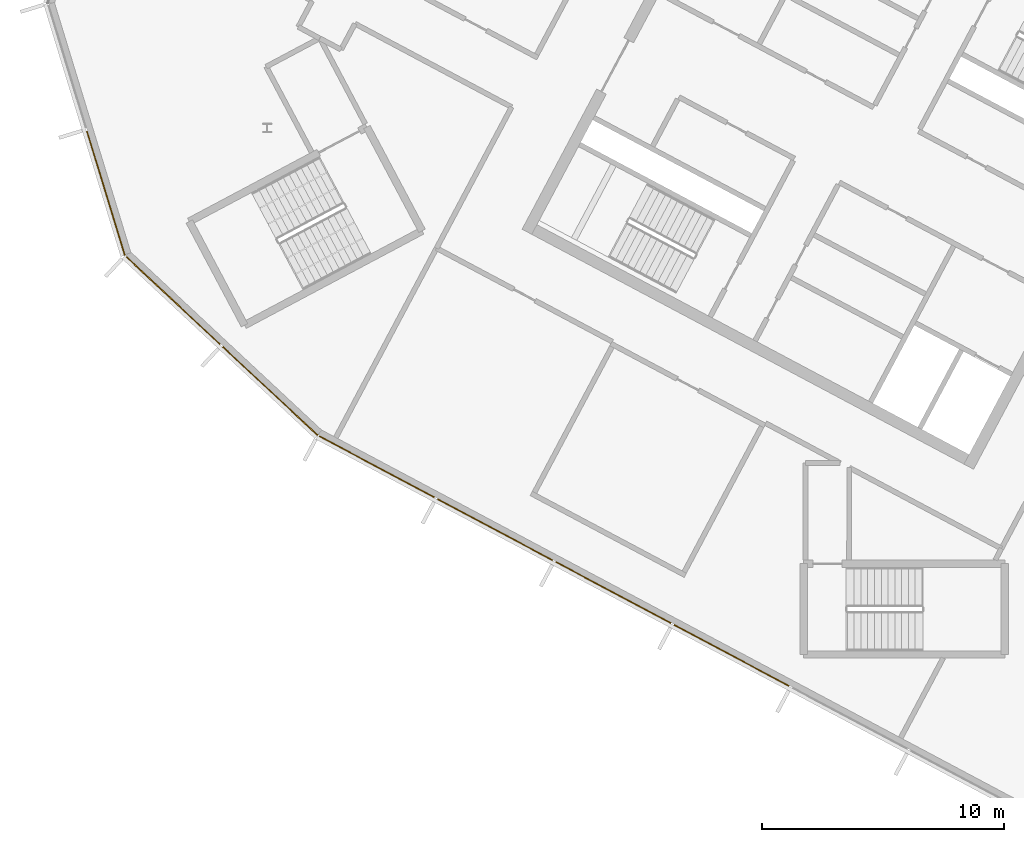
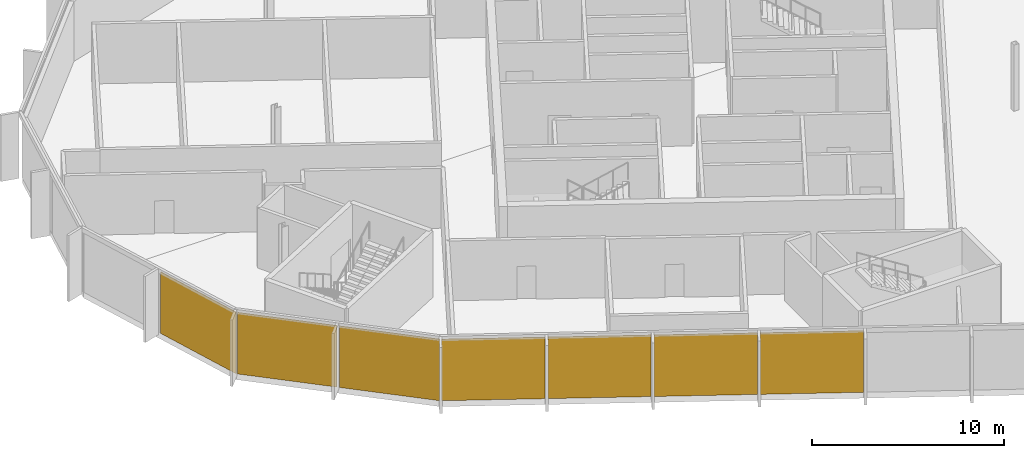
# One storey, part 10 of 15: 7 coverings, 3 elements without a shape of their own.
"""IFC4 building model written with IfcOpenShell, lengths in metres."""

from ifc_helpers import new_model, si_unit, direction, frame, origin, origin_2d, place, context, subcontext, project, spatial, rectangle, extrude, material, layer, layer_set, type_object, element, aggregate, save


model = new_model("IFC4")

# Units and contexts
model_context = context("Model", 3, precision=1e-05, world=origin(), true_north=direction((0.0, 1.0)))
body_context = subcontext(model_context, "Body", "Model", "MODEL_VIEW")
ifc_project = project(units=[si_unit("LENGTHUNIT", "METRE"), si_unit("AREAUNIT", "SQUARE_METRE"), si_unit("VOLUMEUNIT", "CUBIC_METRE"), si_unit("PLANEANGLEUNIT", "RADIAN"), si_unit("MASSUNIT", "GRAM", prefix="KILO")], contexts=[model_context])

# Site, building, storey
site_placement = place(None, origin())
site = spatial("IfcSite", under=ifc_project, at=site_placement, CompositionType="ELEMENT")
building_placement = place(site_placement, origin())
building = spatial("IfcBuilding", under=site, at=building_placement, Name="Cormorant Relay Tower", CompositionType="ELEMENT")
storey_placement = place(building_placement, frame((0.0, 0.0, 332.39990234375)))
storey = spatial("IfcBuildingStorey", under=building, at=storey_placement, Name="C2", CompositionType="ELEMENT", Elevation=332.39990234375)

# Curtain wall, coverings
ifc_material_1 = material(Name="Aluminium 6063-T6 anodised bronze", Category="aluminium")
ifc_layer_1 = layer(ifc_material_1, 0.199951171875)
ifc_layer_set_1 = layer_set([ifc_layer_1], Name="CW3 crown screen wall")
curtain_wall_type = type_object("IfcCurtainWallType", Name="CW3 crown screen wall", PredefinedType="NOTDEFINED", material=ifc_layer_set_1)
curtain_wall_1_placement = place(storey_placement, origin())
curtain_wall_1 = element("IfcCurtainWall", 1, at=curtain_wall_1_placement, inside=storey, type_object=curtain_wall_type, Name="CW3 curtain wall 1", PredefinedType="NOTDEFINED")
ifc_material_2 = material(Name="Perforated bronze anodised aluminium screen", Category="aluminium")
ifc_layer_2 = layer(ifc_material_2, 0.0400390625)
ifc_layer_set_2 = layer_set([ifc_layer_2], Name="CW3 perforated bronze screen panel 40")
covering_type = type_object("IfcCoveringType", Name="CW3 perforated bronze screen panel 40", PredefinedType="CLADDING", material=ifc_layer_set_2)
covering_1_placement = place(storey_placement, frame((-47.16162109375, 1.269775390625, 0.000244140625), z_axis=(0.0, 0.0, 1.0), x_axis=(0.882947592859, -0.469471562786, 0.0)))
covering_1 = element("IfcCovering", 2, at=covering_1_placement, type_object=covering_type, Name="CW3 panel X00", PredefinedType="CLADDING", context=body_context, shape_type="SweptSolid", body=[
    extrude(rectangle(XDim=5.375244140625, YDim=0.0400390625, at=origin_2d()), origin(), (0.0, 0.0, 1.0), 3.89990234375),
])
covering_2_placement = place(storey_placement, frame((-42.283203125, -1.32421875, 0.000244140625), z_axis=(0.0, 0.0, 1.0), x_axis=(0.882947592859, -0.469471562786, 0.0)))
covering_2 = element("IfcCovering", 3, at=covering_2_placement, type_object=covering_type, Name="CW3 panel X01", PredefinedType="CLADDING", context=body_context, shape_type="SweptSolid", body=[
    extrude(rectangle(XDim=5.375244140625, YDim=0.0400390625, at=origin_2d()), origin(), (0.0, 0.0, 1.0), 3.89990234375),
])
covering_3_placement = place(storey_placement, frame((-37.40478515625, -3.918212890625, 0.000244140625), z_axis=(0.0, 0.0, 1.0), x_axis=(0.882947592859, -0.469471562786, 0.0)))
covering_3 = element("IfcCovering", 4, at=covering_3_placement, type_object=covering_type, Name="CW3 panel X02", PredefinedType="CLADDING", context=body_context, shape_type="SweptSolid", body=[
    extrude(rectangle(XDim=5.375244140625, YDim=0.0400390625, at=origin_2d()), origin(), (0.0, 0.0, 1.0), 3.89990234375),
])
covering_4_placement = place(storey_placement, frame((-32.5263671875, -6.51220703125, 0.000244140625), z_axis=(0.0, 0.0, 1.0), x_axis=(0.882947592859, -0.469471562786, 0.0)))
covering_4 = element("IfcCovering", 5, at=covering_4_placement, type_object=covering_type, Name="CW3 panel X03", PredefinedType="CLADDING", context=body_context, shape_type="SweptSolid", body=[
    extrude(rectangle(XDim=5.375244140625, YDim=0.0400390625, at=origin_2d()), origin(), (0.0, 0.0, 1.0), 3.89990234375),
])
aggregate(curtain_wall_1, [covering_1, covering_2, covering_3, covering_4])

# Curtain wall, covering
curtain_wall_2_placement = place(storey_placement, origin())
curtain_wall_2 = element("IfcCurtainWall", 6, at=curtain_wall_2_placement, inside=storey, type_object=curtain_wall_type, Name="CW3 curtain wall 19", PredefinedType="NOTDEFINED")
covering_5_placement = place(storey_placement, frame((-58.344482421875, 12.55517578125, 0.000244140625), z_axis=(0.0, 0.0, 1.0), x_axis=(0.292371704723, -0.956304755963, 0.0)))
covering_5 = element("IfcCovering", 7, at=covering_5_placement, type_object=covering_type, Name="CW3 panel X01", PredefinedType="CLADDING", context=body_context, shape_type="SweptSolid", body=[
    extrude(rectangle(XDim=5.360107421875, YDim=0.0400390625, at=origin_2d()), origin(), (0.0, 0.0, 1.0), 3.89990234375),
])
aggregate(curtain_wall_2, [covering_5])

# Curtain wall, coverings
curtain_wall_3_placement = place(storey_placement, origin())
curtain_wall_3 = element("IfcCurtainWall", 8, at=curtain_wall_3_placement, inside=storey, type_object=curtain_wall_type, Name="CW3 curtain wall 20", PredefinedType="NOTDEFINED")
covering_6_placement = place(storey_placement, frame((-55.56787109375, 8.1298828125, 0.000244140625), z_axis=(0.0, 0.0, 1.0), x_axis=(0.731353701619, -0.681998360062, 0.0)))
covering_6 = element("IfcCovering", 9, at=covering_6_placement, type_object=covering_type, Name="CW3 panel X00", PredefinedType="CLADDING", context=body_context, shape_type="SweptSolid", body=[
    extrude(rectangle(XDim=5.28515625, YDim=0.0400390625, at=origin_2d()), origin(), (0.0, 0.0, 1.0), 3.89990234375),
])
covering_7_placement = place(storey_placement, frame((-51.565185546875, 4.3974609375, 0.000244140625), z_axis=(0.0, 0.0, 1.0), x_axis=(0.731353701619, -0.681998360062, 0.0)))
covering_7 = element("IfcCovering", 10, at=covering_7_placement, type_object=covering_type, Name="CW3 panel X01", PredefinedType="CLADDING", context=body_context, shape_type="SweptSolid", body=[
    extrude(rectangle(XDim=5.360107421875, YDim=0.0400390625, at=origin_2d()), origin(), (0.0, 0.0, 1.0), 3.89990234375),
])
aggregate(curtain_wall_3, [covering_6, covering_7])

save(model, "model.ifc")
